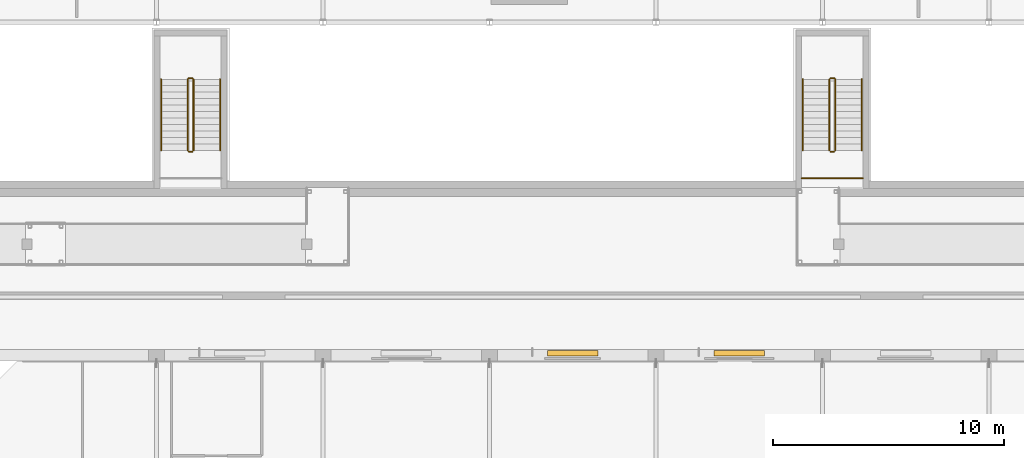
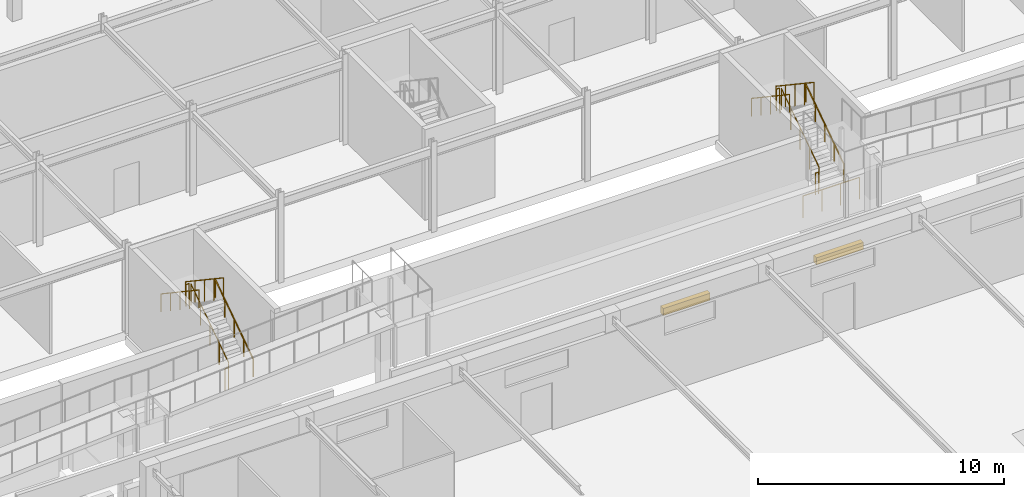
# One storey, part 79 of 85: 13 railings, 2 shading devices.
"""IFC4 building model written with IfcOpenShell, lengths in metres."""

from ifc_helpers import new_model, si_unit, direction, frame, origin, origin_2d, place, context, subcontext, project, spatial, rectangle, circle, extrude, material, type_object, element, save


model = new_model("IFC4")

# Units and contexts
model_context = context("Model", 3, precision=1e-05, world=origin(), true_north=direction((0.0, 1.0)))
body_context = subcontext(model_context, "Body", "Model", "MODEL_VIEW")
ifc_project = project(units=[si_unit("LENGTHUNIT", "METRE"), si_unit("AREAUNIT", "SQUARE_METRE"), si_unit("VOLUMEUNIT", "CUBIC_METRE"), si_unit("PLANEANGLEUNIT", "RADIAN"), si_unit("MASSUNIT", "GRAM", prefix="KILO")], contexts=[model_context])

# Site, building, storey
site_placement = place(None, origin())
site = spatial("IfcSite", under=ifc_project, at=site_placement, CompositionType="ELEMENT")
building_placement = place(site_placement, origin())
building = spatial("IfcBuilding", under=site, at=building_placement, Name="Ochrevale Crest", CompositionType="ELEMENT")
storey_placement = place(building_placement, origin())
storey = spatial("IfcBuildingStorey", under=building, at=storey_placement, Name="L00", CompositionType="ELEMENT", Elevation=0.0)

# Railings
ifc_material_1 = material(Name="Galvanised steel", Category="steel")
railing_type_1 = type_object("IfcRailingType", Name="RL-ST-GUARD-EXT", PredefinedType="BALUSTRADE", material=ifc_material_1)
railing_1_placement = place(storey_placement, frame((66.39990234375, 73.64990234375, 0.1875)))
element("IfcRailing", 1, at=railing_1_placement, inside=storey, type_object=railing_type_1, Name="L00 ST-CW1 stair guard 1", PredefinedType="BALUSTRADE", context=body_context, shape_type="SweptSolid", body=[
    extrude(circle(Radius=0.02392578125, at=origin_2d()), frame((0.0, 0.0, 1.076171875), z_axis=(0.0, 0.830913701846, 0.55640131208), x_axis=(-1.0, 0.0, 0.0)), (0.0, 0.0, 1.0), 3.706787109375),
    extrude(circle(Radius=0.02099609375, at=origin_2d()), origin(), (0.0, 0.0, 1.0), 1.052001953125),
    extrude(circle(Radius=0.02099609375, at=origin_2d()), frame((0.0, 0.77001953125, 0.515625)), (0.0, 0.0, 1.0), 1.052001953125),
    extrude(circle(Radius=0.02099609375, at=origin_2d()), frame((0.0, 1.5400390625, 1.03125)), (0.0, 0.0, 1.0), 1.052001953125),
    extrude(circle(Radius=0.02099609375, at=origin_2d()), frame((0.0, 2.31005859375, 1.546875)), (0.0, 0.0, 1.0), 1.052001953125),
    extrude(circle(Radius=0.02099609375, at=origin_2d()), frame((0.0, 3.080078125, 2.0625)), (0.0, 0.0, 1.0), 1.052001953125),
])
railing_2_placement = place(storey_placement, frame((66.35009765625, 76.780029296875, 2.25)))
element("IfcRailing", 2, at=railing_2_placement, inside=storey, type_object=railing_type_1, Name="L00 ST-CW1 stair guard 2", PredefinedType="BALUSTRADE", context=body_context, shape_type="SweptSolid", body=[
    extrude(circle(Radius=0.02392578125, at=origin_2d()), frame((0.0, 0.0, 1.076171875), z_axis=(-1.0, 0.0, 0.0), x_axis=(0.0, -1.0, 0.0)), (0.0, 0.0, 1.0), 0.150146484375),
    extrude(circle(Radius=0.02099609375, at=origin_2d()), origin(), (0.0, 0.0, 1.0), 1.052001953125),
    extrude(circle(Radius=0.02099609375, at=origin_2d()), frame((-0.150146484375, 0.0, 0.0)), (0.0, 0.0, 1.0), 1.052001953125),
])
railing_3_placement = place(storey_placement, frame((66.14990234375, 76.72998046875, 2.4375)))
element("IfcRailing", 3, at=railing_3_placement, inside=storey, type_object=railing_type_1, Name="L00 ST-CW1 stair guard 3", PredefinedType="BALUSTRADE", context=body_context, shape_type="SweptSolid", body=[
    extrude(circle(Radius=0.02392578125, at=origin_2d()), frame((0.0, 0.0, 1.076171875), z_axis=(0.0, -0.830913701846, 0.55640131208), x_axis=(1.0, 0.0, 0.0)), (0.0, 0.0, 1.0), 3.706787109375),
    extrude(circle(Radius=0.02099609375, at=origin_2d()), origin(), (0.0, 0.0, 1.0), 1.052001953125),
    extrude(circle(Radius=0.02099609375, at=origin_2d()), frame((0.0, -0.77001953125, 0.515625)), (0.0, 0.0, 1.0), 1.052001953125),
    extrude(circle(Radius=0.02099609375, at=origin_2d()), frame((0.0, -1.5400390625, 1.03125)), (0.0, 0.0, 1.0), 1.052001953125),
    extrude(circle(Radius=0.02099609375, at=origin_2d()), frame((0.0, -2.31005859375, 1.546875)), (0.0, 0.0, 1.0), 1.052001953125),
    extrude(circle(Radius=0.02099609375, at=origin_2d()), frame((0.0, -3.080078125, 2.0625)), (0.0, 0.0, 1.0), 1.052001953125),
])
railing_4_placement = place(storey_placement, frame((66.35009765625, 73.60009765625, 0.0)))
element("IfcRailing", 4, at=railing_4_placement, inside=storey, type_object=railing_type_1, Name="L00 ST-CW1 stair guard 4", PredefinedType="BALUSTRADE", context=body_context, shape_type="SweptSolid", body=[
    extrude(circle(Radius=0.02392578125, at=origin_2d()), frame((0.0, 0.0, 1.076171875), z_axis=(-1.0, 0.0, 0.0), x_axis=(0.0, -1.0, 0.0)), (0.0, 0.0, 1.0), 0.150146484375),
    extrude(circle(Radius=0.02099609375, at=origin_2d()), origin(), (0.0, 0.0, 1.0), 1.052001953125),
    extrude(circle(Radius=0.02099609375, at=origin_2d()), frame((-0.150146484375, 0.0, 0.0)), (0.0, 0.0, 1.0), 1.052001953125),
])
railing_5_placement = place(storey_placement, frame((94.14990234375, 73.64990234375, 0.1875)))
element("IfcRailing", 5, at=railing_5_placement, inside=storey, type_object=railing_type_1, Name="L00 ST-CE1 stair guard 1", PredefinedType="BALUSTRADE", context=body_context, shape_type="SweptSolid", body=[
    extrude(circle(Radius=0.02392578125, at=origin_2d()), frame((0.0, 0.0, 1.076171875), z_axis=(0.0, 0.830913701846, 0.55640131208), x_axis=(-1.0, 0.0, 0.0)), (0.0, 0.0, 1.0), 3.706787109375),
    extrude(circle(Radius=0.02099609375, at=origin_2d()), origin(), (0.0, 0.0, 1.0), 1.052001953125),
    extrude(circle(Radius=0.02099609375, at=origin_2d()), frame((0.0, 0.77001953125, 0.515625)), (0.0, 0.0, 1.0), 1.052001953125),
    extrude(circle(Radius=0.02099609375, at=origin_2d()), frame((0.0, 1.5400390625, 1.03125)), (0.0, 0.0, 1.0), 1.052001953125),
    extrude(circle(Radius=0.02099609375, at=origin_2d()), frame((0.0, 2.31005859375, 1.546875)), (0.0, 0.0, 1.0), 1.052001953125),
    extrude(circle(Radius=0.02099609375, at=origin_2d()), frame((0.0, 3.080078125, 2.0625)), (0.0, 0.0, 1.0), 1.052001953125),
])
railing_6_placement = place(storey_placement, frame((94.10009765625, 76.780029296875, 2.25)))
element("IfcRailing", 6, at=railing_6_placement, inside=storey, type_object=railing_type_1, Name="L00 ST-CE1 stair guard 2", PredefinedType="BALUSTRADE", context=body_context, shape_type="SweptSolid", body=[
    extrude(circle(Radius=0.02392578125, at=origin_2d()), frame((0.0, 0.0, 1.076171875), z_axis=(-1.0, 0.0, 0.0), x_axis=(0.0, -1.0, 0.0)), (0.0, 0.0, 1.0), 0.150146484375),
    extrude(circle(Radius=0.02099609375, at=origin_2d()), origin(), (0.0, 0.0, 1.0), 1.052001953125),
    extrude(circle(Radius=0.02099609375, at=origin_2d()), frame((-0.150146484375, 0.0, 0.0)), (0.0, 0.0, 1.0), 1.052001953125),
])
railing_7_placement = place(storey_placement, frame((93.89990234375, 76.72998046875, 2.4375)))
element("IfcRailing", 7, at=railing_7_placement, inside=storey, type_object=railing_type_1, Name="L00 ST-CE1 stair guard 3", PredefinedType="BALUSTRADE", context=body_context, shape_type="SweptSolid", body=[
    extrude(circle(Radius=0.02392578125, at=origin_2d()), frame((0.0, 0.0, 1.076171875), z_axis=(0.0, -0.830913701846, 0.55640131208), x_axis=(1.0, 0.0, 0.0)), (0.0, 0.0, 1.0), 3.706787109375),
    extrude(circle(Radius=0.02099609375, at=origin_2d()), origin(), (0.0, 0.0, 1.0), 1.052001953125),
    extrude(circle(Radius=0.02099609375, at=origin_2d()), frame((0.0, -0.77001953125, 0.515625)), (0.0, 0.0, 1.0), 1.052001953125),
    extrude(circle(Radius=0.02099609375, at=origin_2d()), frame((0.0, -1.5400390625, 1.03125)), (0.0, 0.0, 1.0), 1.052001953125),
    extrude(circle(Radius=0.02099609375, at=origin_2d()), frame((0.0, -2.31005859375, 1.546875)), (0.0, 0.0, 1.0), 1.052001953125),
    extrude(circle(Radius=0.02099609375, at=origin_2d()), frame((0.0, -3.080078125, 2.0625)), (0.0, 0.0, 1.0), 1.052001953125),
])
railing_8_placement = place(storey_placement, frame((94.10009765625, 73.60009765625, 0.0)))
element("IfcRailing", 8, at=railing_8_placement, inside=storey, type_object=railing_type_1, Name="L00 ST-CE1 stair guard 4", PredefinedType="BALUSTRADE", context=body_context, shape_type="SweptSolid", body=[
    extrude(circle(Radius=0.02392578125, at=origin_2d()), frame((0.0, 0.0, 1.076171875), z_axis=(-1.0, 0.0, 0.0), x_axis=(0.0, -1.0, 0.0)), (0.0, 0.0, 1.0), 0.150146484375),
    extrude(circle(Radius=0.02099609375, at=origin_2d()), origin(), (0.0, 0.0, 1.0), 1.052001953125),
    extrude(circle(Radius=0.02099609375, at=origin_2d()), frame((-0.150146484375, 0.0, 0.0)), (0.0, 0.0, 1.0), 1.052001953125),
])
railing_9_placement = place(storey_placement, frame((95.35009765625, 72.449951171875, 0.0)))
element("IfcRailing", 9, at=railing_9_placement, inside=storey, type_object=railing_type_1, Name="L00 ST-CE1 stair guard 5", PredefinedType="BALUSTRADE", context=body_context, shape_type="SweptSolid", body=[
    extrude(circle(Radius=0.02392578125, at=origin_2d()), frame((0.0, 0.0, 1.076171875), z_axis=(-1.0, 0.0, 0.0), x_axis=(0.0, -1.0, 0.0)), (0.0, 0.0, 1.0), 2.650146484375),
    extrude(circle(Radius=0.02099609375, at=origin_2d()), origin(), (0.0, 0.0, 1.0), 1.052001953125),
    extrude(circle(Radius=0.02099609375, at=origin_2d()), frame((-0.88330078125, 0.0, 0.0)), (0.0, 0.0, 1.0), 1.052001953125),
    extrude(circle(Radius=0.02099609375, at=origin_2d()), frame((-1.766845703125, 0.0, 0.0)), (0.0, 0.0, 1.0), 1.052001953125),
    extrude(circle(Radius=0.02099609375, at=origin_2d()), frame((-2.650146484375, 0.0, 0.0)), (0.0, 0.0, 1.0), 1.052001953125),
])
ifc_material_2 = material(Name="Stainless steel", Category="steel")
railing_type_2 = type_object("IfcRailingType", Name="RL-ST-HRAIL-EXT", PredefinedType="HANDRAIL", material=ifc_material_2)
railing_10_placement = place(storey_placement, frame((67.550048828125, 73.64990234375, 0.1875)))
element("IfcRailing", 10, at=railing_10_placement, inside=storey, type_object=railing_type_2, Name="L00 ST-CW1 stair handrail 1", PredefinedType="HANDRAIL", context=body_context, shape_type="SweptSolid", body=[
    extrude(circle(Radius=0.02392578125, at=origin_2d()), frame((0.0, 0.0, 0.8759765625), z_axis=(0.0, 0.830913701846, 0.55640131208), x_axis=(-1.0, 0.0, 0.0)), (0.0, 0.0, 1.0), 3.706787109375),
    extrude(circle(Radius=0.02099609375, at=origin_2d()), origin(), (0.0, 0.0, 1.0), 0.851806640625),
    extrude(circle(Radius=0.02099609375, at=origin_2d()), frame((0.0, 0.77001953125, 0.515625)), (0.0, 0.0, 1.0), 0.851806640625),
    extrude(circle(Radius=0.02099609375, at=origin_2d()), frame((0.0, 1.5400390625, 1.03125)), (0.0, 0.0, 1.0), 0.851806640625),
    extrude(circle(Radius=0.02099609375, at=origin_2d()), frame((0.0, 2.31005859375, 1.546875)), (0.0, 0.0, 1.0), 0.851806640625),
    extrude(circle(Radius=0.02099609375, at=origin_2d()), frame((0.0, 3.080078125, 2.0625)), (0.0, 0.0, 1.0), 0.851806640625),
])
railing_11_placement = place(storey_placement, frame((65.0, 76.72998046875, 2.4375)))
element("IfcRailing", 11, at=railing_11_placement, inside=storey, type_object=railing_type_2, Name="L00 ST-CW1 stair handrail 2", PredefinedType="HANDRAIL", context=body_context, shape_type="SweptSolid", body=[
    extrude(circle(Radius=0.02392578125, at=origin_2d()), frame((0.0, 0.0, 0.8759765625), z_axis=(0.0, -0.830913701846, 0.55640131208), x_axis=(1.0, 0.0, 0.0)), (0.0, 0.0, 1.0), 3.706787109375),
    extrude(circle(Radius=0.02099609375, at=origin_2d()), origin(), (0.0, 0.0, 1.0), 0.851806640625),
    extrude(circle(Radius=0.02099609375, at=origin_2d()), frame((0.0, -0.77001953125, 0.515625)), (0.0, 0.0, 1.0), 0.851806640625),
    extrude(circle(Radius=0.02099609375, at=origin_2d()), frame((0.0, -1.5400390625, 1.03125)), (0.0, 0.0, 1.0), 0.851806640625),
    extrude(circle(Radius=0.02099609375, at=origin_2d()), frame((0.0, -2.31005859375, 1.546875)), (0.0, 0.0, 1.0), 0.851806640625),
    extrude(circle(Radius=0.02099609375, at=origin_2d()), frame((0.0, -3.080078125, 2.0625)), (0.0, 0.0, 1.0), 0.851806640625),
])
railing_12_placement = place(storey_placement, frame((95.300048828125, 73.64990234375, 0.1875)))
element("IfcRailing", 12, at=railing_12_placement, inside=storey, type_object=railing_type_2, Name="L00 ST-CE1 stair handrail 1", PredefinedType="HANDRAIL", context=body_context, shape_type="SweptSolid", body=[
    extrude(circle(Radius=0.02392578125, at=origin_2d()), frame((0.0, 0.0, 0.8759765625), z_axis=(0.0, 0.830913701846, 0.55640131208), x_axis=(-1.0, 0.0, 0.0)), (0.0, 0.0, 1.0), 3.706787109375),
    extrude(circle(Radius=0.02099609375, at=origin_2d()), origin(), (0.0, 0.0, 1.0), 0.851806640625),
    extrude(circle(Radius=0.02099609375, at=origin_2d()), frame((0.0, 0.77001953125, 0.515625)), (0.0, 0.0, 1.0), 0.851806640625),
    extrude(circle(Radius=0.02099609375, at=origin_2d()), frame((0.0, 1.5400390625, 1.03125)), (0.0, 0.0, 1.0), 0.851806640625),
    extrude(circle(Radius=0.02099609375, at=origin_2d()), frame((0.0, 2.31005859375, 1.546875)), (0.0, 0.0, 1.0), 0.851806640625),
    extrude(circle(Radius=0.02099609375, at=origin_2d()), frame((0.0, 3.080078125, 2.0625)), (0.0, 0.0, 1.0), 0.851806640625),
])
railing_13_placement = place(storey_placement, frame((92.75, 76.72998046875, 2.4375)))
element("IfcRailing", 13, at=railing_13_placement, inside=storey, type_object=railing_type_2, Name="L00 ST-CE1 stair handrail 2", PredefinedType="HANDRAIL", context=body_context, shape_type="SweptSolid", body=[
    extrude(circle(Radius=0.02392578125, at=origin_2d()), frame((0.0, 0.0, 0.8759765625), z_axis=(0.0, -0.830913701846, 0.55640131208), x_axis=(1.0, 0.0, 0.0)), (0.0, 0.0, 1.0), 3.706787109375),
    extrude(circle(Radius=0.02099609375, at=origin_2d()), origin(), (0.0, 0.0, 1.0), 0.851806640625),
    extrude(circle(Radius=0.02099609375, at=origin_2d()), frame((0.0, -0.77001953125, 0.515625)), (0.0, 0.0, 1.0), 0.851806640625),
    extrude(circle(Radius=0.02099609375, at=origin_2d()), frame((0.0, -1.5400390625, 1.03125)), (0.0, 0.0, 1.0), 0.851806640625),
    extrude(circle(Radius=0.02099609375, at=origin_2d()), frame((0.0, -2.31005859375, 1.546875)), (0.0, 0.0, 1.0), 0.851806640625),
    extrude(circle(Radius=0.02099609375, at=origin_2d()), frame((0.0, -3.080078125, 2.0625)), (0.0, 0.0, 1.0), 0.851806640625),
])

# Shading devices
ifc_material_3 = material(Name="Anodised aluminium 6063-T5", Category="aluminium")
shading_device_type = type_object("IfcShadingDeviceType", Name="SHD-LOUVRE-AL", PredefinedType="JALOUSIE", material=ifc_material_3)
for number, where, z_axis, x_axis, name in (
    (14, (82.800048828125, 64.8798828125, 3.64501953125), (0.0, 0.0, 1.0), (1.0, 0.0, 0.0), "Community Hall N bronze sun-control louvre 4"),
    (15, (90.0, 64.8798828125, 3.64501953125), (0.0, 0.0, 1.0), (1.0, 0.0, 0.0), "Community Hall N bronze sun-control louvre 5"),
):
    element("IfcShadingDevice", number, at=place(storey_placement, frame(where, z_axis=z_axis, x_axis=x_axis)), inside=storey, type_object=shading_device_type, Name=name, PredefinedType="JALOUSIE", context=body_context, shape_type="SweptSolid", body=[
        extrude(rectangle(XDim=2.199951171875, YDim=0.239990234375, at=origin_2d()), origin(), (0.0, 0.0, 1.0), 0.35009765625),
    ])

save(model, "model.ifc")
